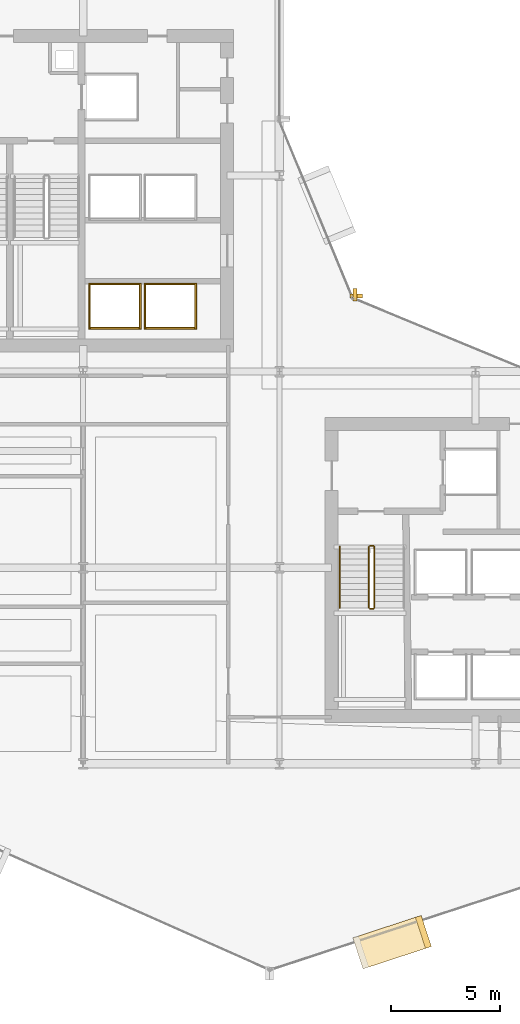
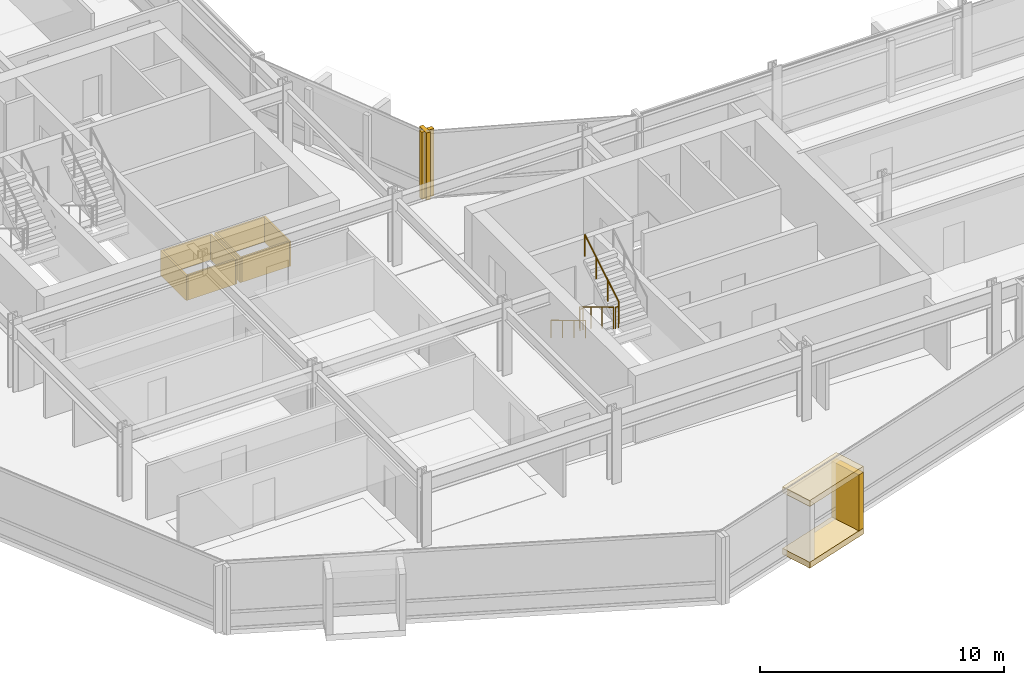
# One storey, part 31 of 34: 13 coverings, 5 railings.
"""IFC4 building model written with IfcOpenShell, lengths in metres."""

from ifc_helpers import new_model, si_unit, direction, frame, origin, origin_2d, place, context, subcontext, project, spatial, rectangle, circle, extrude, material, layer, layer_set, type_object, element, save


model = new_model("IFC4")

# Units and contexts
model_context = context("Model", 3, precision=1e-05, world=origin(), true_north=direction((0.0, 1.0)))
body_context = subcontext(model_context, "Body", "Model", "MODEL_VIEW")
ifc_project = project(units=[si_unit("LENGTHUNIT", "METRE"), si_unit("AREAUNIT", "SQUARE_METRE"), si_unit("VOLUMEUNIT", "CUBIC_METRE"), si_unit("PLANEANGLEUNIT", "RADIAN"), si_unit("MASSUNIT", "GRAM", prefix="KILO")], contexts=[model_context])

# Site, building, storey
site_placement = place(None, origin())
site = spatial("IfcSite", under=ifc_project, at=site_placement, CompositionType="ELEMENT")
building_placement = place(site_placement, origin())
building = spatial("IfcBuilding", under=site, at=building_placement, Name="Solvaryn Broadcast Tower", CompositionType="ELEMENT")
storey_placement = place(building_placement, frame((0.0, 0.0, 96.5)))
storey = spatial("IfcBuildingStorey", under=building, at=storey_placement, Name="L23", CompositionType="ELEMENT", Elevation=96.5)

# Coverings
ifc_material_1 = material(Name="Fire-Rated Gypsum Shaftwall Liner", Category="concrete")
ifc_layer_1 = layer(ifc_material_1, 0.080078125)
ifc_layer_set_1 = layer_set([ifc_layer_1], Name="CV-SHAFT-LINER")
covering_type_1 = type_object("IfcCoveringType", Name="CV-SHAFT-LINER", PredefinedType="CLADDING", material=ifc_layer_set_1)
for number, where, z_axis, x_axis, name in (
    (1, (19.449951171875, 31.014892578125, 0.0), (0.0, 0.0, 1.0), (1.0, 0.0, 0.0), "L23 PH1 Hoistway Shaft Liner North"),
    (2, (19.449951171875, 28.985107421875, 0.0), (0.0, 0.0, 1.0), (1.0, 0.0, 0.0), "L23 PH1 Hoistway Shaft Liner South"),
):
    element("IfcCovering", number, at=place(storey_placement, frame(where, z_axis=z_axis, x_axis=x_axis)), inside=storey, type_object=covering_type_1, Name=name, PredefinedType="CLADDING", context=body_context, shape_type="SweptSolid", body=[
        extrude(rectangle(XDim=2.409912109375, YDim=0.080078125, at=origin_2d()), origin(), (0.0, 0.0, 1.0), 1.25),
    ])
for number, where, z_axis, x_axis, name in (
    (3, (20.614990234375, 30.0, 0.0), (0.0, 0.0, 1.0), (1.0, 0.0, 0.0), "L23 PH1 Hoistway Shaft Liner East"),
    (4, (18.284912109375, 30.0, 0.0), (0.0, 0.0, 1.0), (1.0, 0.0, 0.0), "L23 PH1 Hoistway Shaft Liner West"),
):
    element("IfcCovering", number, at=place(storey_placement, frame(where, z_axis=z_axis, x_axis=x_axis)), inside=storey, type_object=covering_type_1, Name=name, PredefinedType="CLADDING", context=body_context, shape_type="SweptSolid", body=[
        extrude(rectangle(XDim=0.080078125, YDim=2.110107421875, at=origin_2d()), origin(), (0.0, 0.0, 1.0), 1.25),
    ])
for number, where, z_axis, x_axis, name in (
    (5, (22.0, 31.014892578125, 0.0), (0.0, 0.0, 1.0), (1.0, 0.0, 0.0), "L23 PH2 Hoistway Shaft Liner North"),
    (6, (22.0, 28.985107421875, 0.0), (0.0, 0.0, 1.0), (1.0, 0.0, 0.0), "L23 PH2 Hoistway Shaft Liner South"),
):
    element("IfcCovering", number, at=place(storey_placement, frame(where, z_axis=z_axis, x_axis=x_axis)), inside=storey, type_object=covering_type_1, Name=name, PredefinedType="CLADDING", context=body_context, shape_type="SweptSolid", body=[
        extrude(rectangle(XDim=2.409912109375, YDim=0.080078125, at=origin_2d()), origin(), (0.0, 0.0, 1.0), 1.25),
    ])
for number, where, z_axis, x_axis, name in (
    (7, (23.1650390625, 30.0, 0.0), (0.0, 0.0, 1.0), (1.0, 0.0, 0.0), "L23 PH2 Hoistway Shaft Liner East"),
    (8, (20.8349609375, 30.0, 0.0), (0.0, 0.0, 1.0), (1.0, 0.0, 0.0), "L23 PH2 Hoistway Shaft Liner West"),
):
    element("IfcCovering", number, at=place(storey_placement, frame(where, z_axis=z_axis, x_axis=x_axis)), inside=storey, type_object=covering_type_1, Name=name, PredefinedType="CLADDING", context=body_context, shape_type="SweptSolid", body=[
        extrude(rectangle(XDim=0.080078125, YDim=2.110107421875, at=origin_2d()), origin(), (0.0, 0.0, 1.0), 1.25),
    ])
ifc_material_2 = material(Name="Glazed Architectural Terracotta Rainscreen Cladding", Category="masonry")
ifc_layer_2 = layer(ifc_material_2, 0.280029296875)
ifc_layer_set_2 = layer_set([ifc_layer_2], Name="CV-TC-CLAD")
covering_type_2 = type_object("IfcCoveringType", Name="CV-TC-CLAD", PredefinedType="CLADDING", material=ifc_layer_set_2)
for number, where, z_axis, x_axis, name in (
    (9, (32.173095703125, 0.819091796875, 3.080078125), (0.0, 0.0, 1.0), (0.950189870912, 0.311671636848, 0.0), "L23 Projecting Stone Window Box Hood 4"),
    (10, (32.173095703125, 0.819091796875, -0.01025390625), (0.0, 0.0, 1.0), (0.950189870912, 0.311671636848, 0.0), "L23 Projecting Stone Window Box Sill 4"),
):
    element("IfcCovering", number, at=place(storey_placement, frame(where, z_axis=z_axis, x_axis=x_axis)), inside=storey, type_object=covering_type_2, Name=name, PredefinedType="CLADDING", context=body_context, shape_type="SweptSolid", body=[
        extrude(rectangle(XDim=3.300048828125, YDim=1.5, at=origin_2d()), origin(), (0.0, 0.0, 1.0), 0.300048828125),
    ])
covering_1_placement = place(storey_placement, frame((33.60791015625, 1.28955078125, 0.280029296875), z_axis=(0.0, 0.0, 1.0), x_axis=(0.950189870912, 0.311671636848, 0.0)))
element("IfcCovering", 11, at=covering_1_placement, inside=storey, type_object=covering_type_2, Name="L23 Projecting Stone Window Box Cheek 4-2", PredefinedType="CLADDING", context=body_context, shape_type="SweptSolid", body=[
    extrude(rectangle(XDim=0.280029296875, YDim=1.5, at=origin_2d()), origin(), (0.0, 0.0, 1.0), 2.81005859375),
])
ifc_material_3 = material(Name="Extruded Architectural Terracotta Fin", Category="masonry")
ifc_layer_3 = layer(ifc_material_3, 0.179931640625)
ifc_layer_set_3 = layer_set([ifc_layer_3], Name="CV-TC-FIN")
covering_type_3 = type_object("IfcCoveringType", Name="CV-TC-FIN", PredefinedType="USERDEFINED", material=ifc_layer_set_3)
covering_2_placement = place(storey_placement, frame((30.464599609375, 30.52294921875, 0.0), z_axis=(0.0, 0.0, 1.0), x_axis=(1.0, 0.0, 0.0)))
element("IfcCovering", 12, at=covering_2_placement, inside=storey, type_object=covering_type_3, Name="L23 Terracotta Vertical Fin FIN-L23-CN1-M01", ObjectType="FIN", PredefinedType="USERDEFINED", context=body_context, shape_type="SweptSolid", body=[
    extrude(rectangle(XDim=0.179931640625, YDim=0.580078125, at=origin_2d()), origin(), (0.0, 0.0, 1.0), 3.3701171875),
])
covering_3_placement = place(storey_placement, frame((30.52294921875, 30.464599609375, 0.0), z_axis=(0.0, 0.0, 1.0), x_axis=(1.0, 0.0, 0.0)))
element("IfcCovering", 13, at=covering_3_placement, inside=storey, type_object=covering_type_3, Name="L23 Terracotta Vertical Fin FIN-L23-CN2-M00", ObjectType="FIN", PredefinedType="USERDEFINED", context=body_context, shape_type="SweptSolid", body=[
    extrude(rectangle(XDim=0.580078125, YDim=0.179931640625, at=origin_2d()), origin(), (0.0, 0.0, 1.0), 3.3701171875),
])

# Railings
ifc_material_4 = material(Name="Painted Steel Stair Well Guard", Category="steel")
railing_type_1 = type_object("IfcRailingType", Name="RL-STAIR-GUARD", PredefinedType="BALUSTRADE", material=ifc_material_4)
railing_1_placement = place(storey_placement, frame((31.110107421875, 18.9599609375, 0.168212890625)))
element("IfcRailing", 14, at=railing_1_placement, inside=storey, type_object=railing_type_1, Name="L23 ST3 stair guard 1", PredefinedType="BALUSTRADE", context=body_context, shape_type="SweptSolid", body=[
    extrude(circle(Radius=0.02392578125, at=origin_2d()), frame((0.0, 0.0, 1.076171875), z_axis=(0.0, -0.857242210791, 0.514913383045), x_axis=(1.0, 0.0, 0.0)), (0.0, 0.0, 1.0), 3.266357421875),
    extrude(circle(Radius=0.02099609375, at=origin_2d()), origin(), (0.0, 0.0, 1.0), 1.052001953125),
    extrude(circle(Radius=0.02099609375, at=origin_2d()), frame((0.0, -0.933349609375, 0.560546875)), (0.0, 0.0, 1.0), 1.052001953125),
    extrude(circle(Radius=0.02099609375, at=origin_2d()), frame((0.0, -1.86669921875, 1.121337890625)), (0.0, 0.0, 1.0), 1.052001953125),
    extrude(circle(Radius=0.02099609375, at=origin_2d()), frame((0.0, -2.800048828125, 1.681884765625)), (0.0, 0.0, 1.0), 1.052001953125),
])
railing_2_placement = place(storey_placement, frame((31.159912109375, 16.110107421875, 1.85009765625)))
element("IfcRailing", 15, at=railing_2_placement, inside=storey, type_object=railing_type_1, Name="L23 ST3 stair guard 2", PredefinedType="BALUSTRADE", context=body_context, shape_type="SweptSolid", body=[
    extrude(circle(Radius=0.02392578125, at=origin_2d()), frame((0.0, 0.0, 1.076171875), z_axis=(1.0, 0.0, 0.0), x_axis=(0.0, 1.0, 0.0)), (0.0, 0.0, 1.0), 0.150146484375),
    extrude(circle(Radius=0.02099609375, at=origin_2d()), origin(), (0.0, 0.0, 1.0), 1.052001953125),
    extrude(circle(Radius=0.02099609375, at=origin_2d()), frame((0.150146484375, 0.0, 0.0)), (0.0, 0.0, 1.0), 1.052001953125),
])
railing_3_placement = place(storey_placement, frame((31.360107421875, 16.159912109375, 2.01806640625)))
element("IfcRailing", 16, at=railing_3_placement, inside=storey, type_object=railing_type_1, Name="L23 ST3 stair guard 3", PredefinedType="BALUSTRADE", context=body_context, shape_type="SweptSolid", body=[
    extrude(circle(Radius=0.02392578125, at=origin_2d()), frame((0.0, 0.0, 1.076171875), z_axis=(0.0, 0.857242210791, 0.514913383045), x_axis=(-1.0, 0.0, 0.0)), (0.0, 0.0, 1.0), 3.266357421875),
    extrude(circle(Radius=0.02099609375, at=origin_2d()), origin(), (0.0, 0.0, 1.0), 1.052001953125),
    extrude(circle(Radius=0.02099609375, at=origin_2d()), frame((0.0, 0.933349609375, 0.560546875)), (0.0, 0.0, 1.0), 1.052001953125),
    extrude(circle(Radius=0.02099609375, at=origin_2d()), frame((0.0, 1.86669921875, 1.121337890625)), (0.0, 0.0, 1.0), 1.052001953125),
    extrude(circle(Radius=0.02099609375, at=origin_2d()), frame((0.0, 2.800048828125, 1.681884765625)), (0.0, 0.0, 1.0), 1.052001953125),
])
railing_4_placement = place(storey_placement, frame((31.159912109375, 19.010009765625, 0.0)))
element("IfcRailing", 17, at=railing_4_placement, inside=storey, type_object=railing_type_1, Name="L23 ST3 stair guard 4", PredefinedType="BALUSTRADE", context=body_context, shape_type="SweptSolid", body=[
    extrude(circle(Radius=0.02392578125, at=origin_2d()), frame((0.0, 0.0, 1.076171875), z_axis=(1.0, 0.0, 0.0), x_axis=(0.0, 1.0, 0.0)), (0.0, 0.0, 1.0), 0.150146484375),
    extrude(circle(Radius=0.02099609375, at=origin_2d()), origin(), (0.0, 0.0, 1.0), 1.052001953125),
    extrude(circle(Radius=0.02099609375, at=origin_2d()), frame((0.150146484375, 0.0, 0.0)), (0.0, 0.0, 1.0), 1.052001953125),
])
ifc_material_5 = material(Name="Brushed Stainless Steel Tubular Handrail", Category="steel")
railing_type_2 = type_object("IfcRailingType", Name="RL-STAIR-HANDRAIL", PredefinedType="HANDRAIL", material=ifc_material_5)
railing_5_placement = place(storey_placement, frame((29.77001953125, 18.9599609375, 0.168212890625)))
element("IfcRailing", 18, at=railing_5_placement, inside=storey, type_object=railing_type_2, Name="L23 ST3 stair handrail 1", PredefinedType="HANDRAIL", context=body_context, shape_type="SweptSolid", body=[
    extrude(circle(Radius=0.02392578125, at=origin_2d()), frame((0.0, 0.0, 0.8759765625), z_axis=(0.0, -0.857242210791, 0.514913383045), x_axis=(1.0, 0.0, 0.0)), (0.0, 0.0, 1.0), 3.266357421875),
    extrude(circle(Radius=0.02099609375, at=origin_2d()), origin(), (0.0, 0.0, 1.0), 0.851806640625),
    extrude(circle(Radius=0.02099609375, at=origin_2d()), frame((0.0, -0.933349609375, 0.560546875)), (0.0, 0.0, 1.0), 0.851806640625),
    extrude(circle(Radius=0.02099609375, at=origin_2d()), frame((0.0, -1.86669921875, 1.121337890625)), (0.0, 0.0, 1.0), 0.851806640625),
    extrude(circle(Radius=0.02099609375, at=origin_2d()), frame((0.0, -2.800048828125, 1.681884765625)), (0.0, 0.0, 1.0), 0.851806640625),
])

save(model, "model.ifc")
